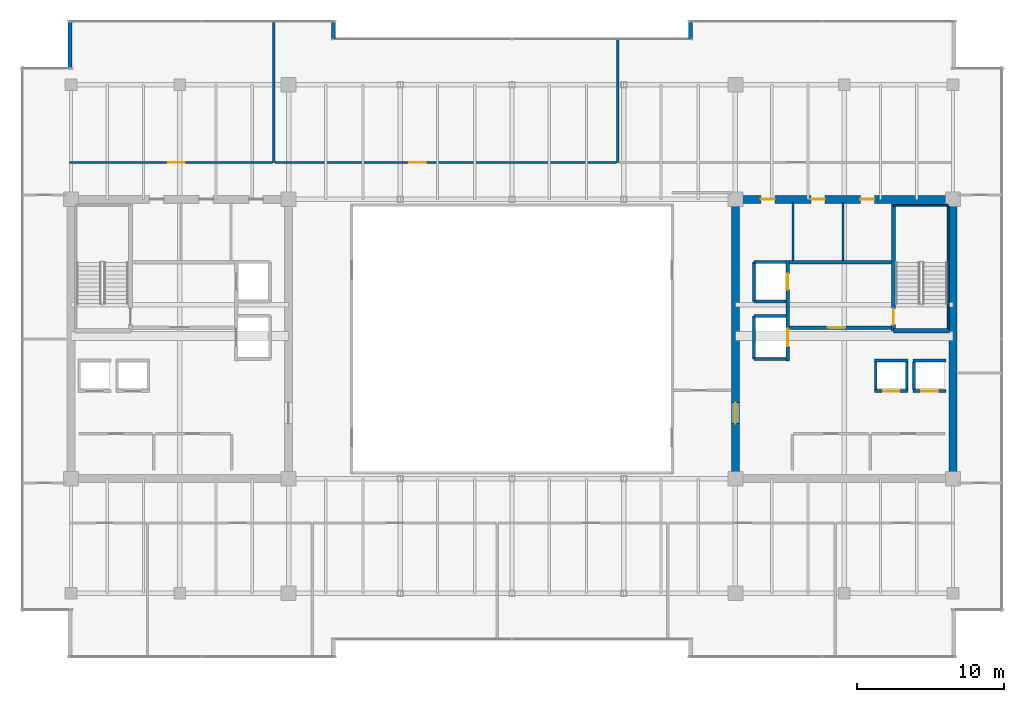
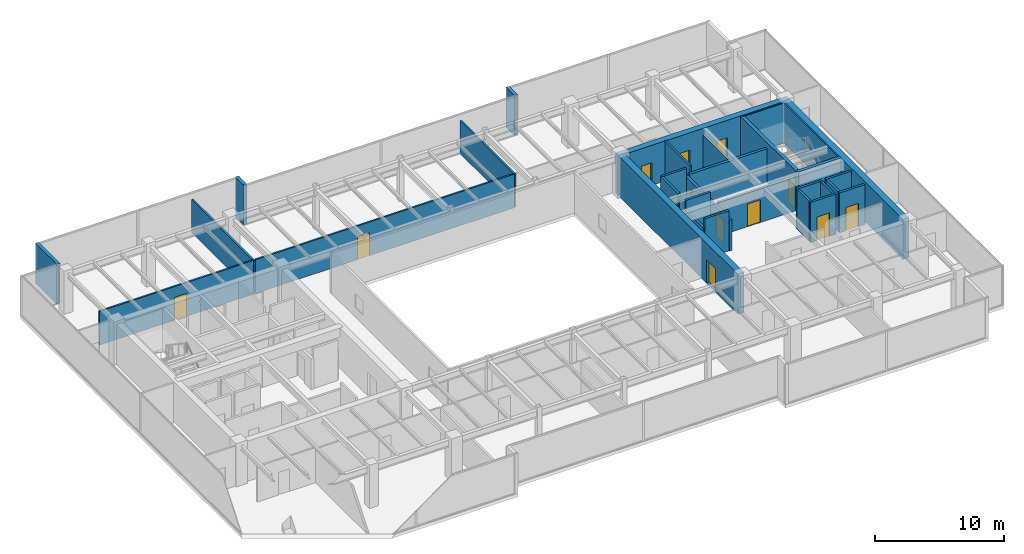
# One storey, part 30 of 33: 32 walls, 12 doors, 12 openings.
"""IFC4 building model written with IfcOpenShell, lengths in metres."""

from ifc_helpers import new_model, si_unit, direction, frame, frame_2d, origin, place, context, subcontext, project, spatial, rectangle, extrude, source, transform, mapped, material, layer, layer_set, type_object, type_shapes, element, fill, save


model = new_model("IFC4")

# Units and contexts
model_context = context("Model", 3, precision=1e-05, world=origin(), true_north=direction((0.0, 1.0)))
body_context = subcontext(model_context, "Body", "Model", "MODEL_VIEW")
ifc_project = project(units=[si_unit("LENGTHUNIT", "METRE"), si_unit("AREAUNIT", "SQUARE_METRE"), si_unit("VOLUMEUNIT", "CUBIC_METRE"), si_unit("PLANEANGLEUNIT", "RADIAN"), si_unit("MASSUNIT", "GRAM", prefix="KILO")], contexts=[model_context])

# Site, building, storey
site_placement = place(None, origin())
site = spatial("IfcSite", under=ifc_project, at=site_placement, CompositionType="ELEMENT")
building_placement = place(site_placement, origin())
building = spatial("IfcBuilding", under=site, at=building_placement, Name="Haelvirn Gate Laboratories", CompositionType="ELEMENT")
storey_placement = place(building_placement, frame((0.0, 0.0, 238.300048828125)))
storey = spatial("IfcBuildingStorey", under=building, at=storey_placement, Name="L57", CompositionType="ELEMENT", Elevation=238.300048828125)

# Walls
ifc_material_1 = material(Name="Thermally-broken bronze aluminium rainscreen & mineral wool", Category="aluminium")
ifc_layer_1 = layer(ifc_material_1, 0.280029296875, Name="EW-TERR-280")
ifc_layer_set_1 = layer_set([ifc_layer_1], Name="Thermally-broken bronze aluminium rainscreen & mineral wool")
wall_type_1 = type_object("IfcWallType", Name="EW-TERR-280", PredefinedType="STANDARD", material=ifc_layer_set_1)
for number, where, z_axis, x_axis, name in (
    (1, (49.5400390625, 46.0, 0.0), (0.0, 0.0, 1.0), (0.0, -1.0, 0.0), "L57 Atrium Recess Bronze Return Wall 11"),
    (2, (25.260009765625, 44.70703125, 0.0), (0.0, 0.0, 1.0), (0.0, 1.0, 0.0), "L57 Atrium Recess Bronze Return Wall 13"),
):
    element("IfcWall", number, at=place(storey_placement, frame(where, z_axis=z_axis, x_axis=x_axis)), inside=storey, type_object=wall_type_1, Name=name, PredefinedType="STANDARD", context=body_context, shape_type="SweptSolid", body=[
        extrude(rectangle(XDim=1.29296875, YDim=0.280029296875, at=frame_2d((0.646484375, 0.0))), origin(), (0.0, 0.0, 1.0), 3.800048828125),
    ])
wall_1_placement = place(storey_placement, frame((7.340087890625, 46.0, 0.0), z_axis=(0.0, 0.0, 1.0), x_axis=(0.0, -1.0, 0.0)))
element("IfcWall", 3, at=wall_1_placement, inside=storey, type_object=wall_type_1, Name="L57 Atrium Recess Bronze Return Wall 15", PredefinedType="STANDARD", context=body_context, shape_type="SweptSolid", body=[
    extrude(rectangle(XDim=3.2880859375, YDim=0.280029296875, at=frame_2d((1.64404296875, 0.0))), origin(), (0.0, 0.0, 1.0), 3.800048828125),
])
ifc_material_2 = material(Name="Double-layer acoustic gypsum laboratory partition", Category="gypsum")
ifc_layer_2 = layer(ifc_material_2, 0.159912109375, Name="IW-ACOUST-160")
ifc_layer_set_2 = layer_set([ifc_layer_2], Name="Double-layer acoustic gypsum laboratory partition")
wall_type_2 = type_object("IfcWallType", Name="IW-ACOUST-160", PredefinedType="PARTITIONING", material=ifc_layer_set_2)
wall_2_placement = place(storey_placement, frame((21.199951171875, 36.31005859375, 0.0), z_axis=(0.0, 0.0, 1.0), x_axis=(0.0, 1.0, 0.0)))
element("IfcWall", 4, at=wall_2_placement, inside=storey, type_object=wall_type_2, Name="L57 Interior Wall IW-L57-NDIV-01", PredefinedType="PARTITIONING", context=body_context, shape_type="SweptSolid", body=[
    extrude(rectangle(XDim=9.579833984375, YDim=0.159912109375, at=frame_2d((4.7900390625, 0.0))), origin(), (0.0, 0.0, 1.0), 3.135009765625),
])
wall_3_placement = place(storey_placement, frame((44.60009765625, 36.31005859375, 0.0), z_axis=(0.0, 0.0, 1.0), x_axis=(0.0, 1.0, 0.0)))
element("IfcWall", 5, at=wall_3_placement, inside=storey, type_object=wall_type_2, Name="L57 Interior Wall IW-L57-NDIV-02", PredefinedType="PARTITIONING", context=body_context, shape_type="SweptSolid", body=[
    extrude(rectangle(XDim=8.3798828125, YDim=0.159912109375, at=frame_2d((4.18994140625, 0.0))), origin(), (0.0, 0.0, 1.0), 3.135009765625),
])

# Wall, opening, door
ifc_material_3 = material(Name="Acoustic mineral-wool gypsum board partition", Category="gypsum")
ifc_layer_3 = layer(ifc_material_3, 0.139892578125, Name="IW-PART-140")
ifc_layer_set_3 = layer_set([ifc_layer_3], Name="Acoustic mineral-wool gypsum board partition")
wall_type_3 = type_object("IfcWallType", Name="IW-PART-140", PredefinedType="PARTITIONING", material=ifc_layer_set_3)
wall_4_placement = place(storey_placement, frame((7.31005859375, 36.31005859375, 0.0), z_axis=(0.0, 0.0, 1.0), x_axis=(1.0, 0.0, 0.0)))
wall_4 = element("IfcWall", 6, at=wall_4_placement, inside=storey, type_object=wall_type_3, Name="L57 Interior Wall IW-L57-NCORR-01", PredefinedType="PARTITIONING", context=body_context, shape_type="SweptSolid", body=[
    extrude(rectangle(XDim=13.81005859375, YDim=0.139892578125, at=frame_2d((6.905029296875, 0.0))), origin(), (0.0, 0.0, 1.0), 3.197021484375),
])
opening_1_placement = place(wall_4_placement, frame((6.71533203125, 0.0, 0.0)))
opening_1 = element("IfcOpeningElement", 7, at=opening_1_placement, cuts=wall_4, Name="Opening D1", PredefinedType="OPENING", context=body_context, shape_type="SweptSolid", body=[
    extrude(rectangle(XDim=1.10009765625, YDim=2.179931640625, at=frame_2d((0.550048828125, 1.08984375))), frame((0.0, 0.080078125, 0.0), z_axis=(0.0, -1.0, 0.0), x_axis=(1.0, 0.0, 0.0)), (0.0, 0.0, 1.0), 0.159912109375),
])
ifc_material_4 = material(Name="Vision-panel acoustic solid-core timber lab door", Category="wood")
door_type_1 = type_object("IfcDoorType", Name="DR-LAB-1100", OperationType="NOTDEFINED", PredefinedType="DOOR", material=ifc_material_4)
shared_shape_1 = source(origin(), body_context, "Body", "SweptSolid", [
    extrude(rectangle(XDim=1.10009765625, YDim=2.179931640625, at=frame_2d((0.550048828125, 1.08984375))), frame((0.0, 0.02490234375, 0.0), z_axis=(0.0, -1.0, 0.0), x_axis=(1.0, 0.0, 0.0)), (0.0, 0.0, 1.0), 0.050048828125),
])
type_shapes(door_type_1, [shared_shape_1])
door_1_placement = place(opening_1_placement, origin())
door_1 = element("IfcDoor", 8, at=door_1_placement, inside=storey, type_object=door_type_1, Name="L57 Analytical Instrument Suite Door N1", OperationType="SINGLE_SWING_LEFT", OverallHeight=2.179931640625, OverallWidth=1.10009765625, PredefinedType="DOOR", context=body_context, shape_type="MappedRepresentation", body=[
    mapped(shared_shape_1, transform((0.0, 0.0, 0.0), scale=1.0)),
])
fill(opening_1, door_1)

wall_5_placement = place(storey_placement, frame((21.280029296875, 36.31005859375, 0.0), z_axis=(0.0, 0.0, 1.0), x_axis=(1.0, 0.0, 0.0)))
wall_5 = element("IfcWall", 9, at=wall_5_placement, inside=storey, type_object=wall_type_3, Name="L57 Interior Wall IW-L57-NCORR-02", PredefinedType="PARTITIONING", context=body_context, shape_type="SweptSolid", body=[
    extrude(rectangle(XDim=23.239990234375, YDim=0.139892578125, at=frame_2d((11.6201171875, 0.0))), origin(), (0.0, 0.0, 1.0), 3.197021484375),
])
opening_2_placement = place(wall_5_placement, frame((9.140380859375, 0.0, 0.0)))
opening_2 = element("IfcOpeningElement", 10, at=opening_2_placement, cuts=wall_5, Name="Opening D1", PredefinedType="OPENING", context=body_context, shape_type="SweptSolid", body=[
    extrude(rectangle(XDim=1.10009765625, YDim=2.179931640625, at=frame_2d((0.550048828125, 1.08984375))), frame((0.0, 0.080078125, 0.0), z_axis=(0.0, -1.0, 0.0), x_axis=(1.0, 0.0, 0.0)), (0.0, 0.0, 1.0), 0.159912109375),
])
door_2_placement = place(opening_2_placement, origin())
door_2 = element("IfcDoor", 11, at=door_2_placement, inside=storey, type_object=door_type_1, Name="L57 Cleanroom Metrology Suite Door N2", OperationType="SINGLE_SWING_RIGHT", OverallHeight=2.179931640625, OverallWidth=1.10009765625, PredefinedType="DOOR", context=body_context, shape_type="MappedRepresentation", body=[
    mapped(shared_shape_1, transform((0.0, 0.0, 0.0), scale=1.0)),
])
fill(opening_2, door_2)

# Walls
ifc_material_5 = material(Name="Cement-board restroom plumbing chase wall", Category="gypsum")
ifc_layer_4 = layer(ifc_material_5, 0.155029296875, Name="IW-PLUMB-160")
ifc_layer_set_4 = layer_set([ifc_layer_4], Name="Cement-board restroom plumbing chase wall")
wall_type_4 = type_object("IfcWallType", Name="IW-PLUMB-160", PredefinedType="PLUMBINGWALL", material=ifc_layer_set_4)
wall_6_placement = place(storey_placement, frame((59.909912109375, 29.64990234375, 0.0), z_axis=(0.0, 0.0, 1.0), x_axis=(0.0, 1.0, 0.0)))
element("IfcWall", 12, at=wall_6_placement, inside=storey, type_object=wall_type_4, Name="L57 Interior Wall IW-L57-E-CDIV-1", PredefinedType="PLUMBINGWALL", context=body_context, shape_type="SweptSolid", body=[
    extrude(rectangle(XDim=3.93017578125, YDim=0.155029296875, at=frame_2d((1.965087890625, 0.0))), origin(), (0.0, 0.0, 1.0), 3.197021484375),
])
wall_7_placement = place(storey_placement, frame((56.510009765625, 29.64990234375, 0.0), z_axis=(0.0, 0.0, 1.0), x_axis=(0.0, 1.0, 0.0)))
element("IfcWall", 13, at=wall_7_placement, inside=storey, type_object=wall_type_4, Name="L57 Interior Wall IW-L57-E-CDIV-2", PredefinedType="PLUMBINGWALL", context=body_context, shape_type="SweptSolid", body=[
    extrude(rectangle(XDim=3.93017578125, YDim=0.155029296875, at=frame_2d((1.965087890625, 0.0))), origin(), (0.0, 0.0, 1.0), 3.800048828125),
])
ifc_material_6 = material(Name="Concrete C40/50", Category="concrete")
ifc_layer_5 = layer(ifc_material_6, 0.179931640625, Name="IW-SHAFT-180")
ifc_layer_set_5 = layer_set([ifc_layer_5], Name="Concrete C40/50")
wall_type_5 = type_object("IfcWallType", Name="IW-SHAFT-180", PredefinedType="SOLIDWALL", material=ifc_layer_set_5)
for number, where, z_axis, x_axis, name in (
    (14, (64.75, 20.85009765625, 0.0), (0.0, 0.0, 1.0), (0.0, 1.0, 0.0), "L57 Interior Wall IW-L57-PL11-SD"),
    (15, (62.14990234375, 20.85009765625, 0.0), (0.0, 0.0, 1.0), (0.0, 1.0, 0.0), "L57 Interior Wall IW-L57-PL12-SD"),
    (16, (64.25, 20.85009765625, 0.0), (0.0, 0.0, 1.0), (0.0, 1.0, 0.0), "L57 Interior Wall IW-L57-PL12-SDE"),
):
    element("IfcWall", number, at=place(storey_placement, frame(where, z_axis=z_axis, x_axis=x_axis)), inside=storey, type_object=wall_type_5, Name=name, PredefinedType="SOLIDWALL", context=body_context, shape_type="SweptSolid", body=[
        extrude(rectangle(XDim=1.89990234375, YDim=0.179931640625, at=frame_2d((0.949951171875, 0.0))), origin(), (0.0, 0.0, 1.0), 3.800048828125),
    ])

# Wall, opening, door
ifc_layer_6 = layer(ifc_material_6, 0.199951171875, Name="IW-SHAFT-200")
ifc_layer_set_6 = layer_set([ifc_layer_6], Name="Concrete C40/50")
wall_type_6 = type_object("IfcWallType", Name="IW-SHAFT-200", PredefinedType="SOLIDWALL", material=ifc_layer_set_6)
wall_8_placement = place(storey_placement, frame((64.669921875, 20.75, 0.0), z_axis=(0.0, 0.0, 1.0), x_axis=(1.0, 0.0, 0.0)))
wall_8 = element("IfcWall", 17, at=wall_8_placement, inside=storey, type_object=wall_type_6, Name="L57 Interior Wall IW-L57-PL11-FR", PredefinedType="SOLIDWALL", context=body_context, shape_type="SweptSolid", body=[
    extrude(rectangle(XDim=2.260009765625, YDim=0.199951171875, at=frame_2d((1.1298828125, 0.0))), origin(), (0.0, 0.0, 1.0), 3.800048828125),
])
opening_3_placement = place(wall_8_placement, frame((0.580078125, 0.0, 0.0)))
opening_3 = element("IfcOpeningElement", 18, at=opening_3_placement, cuts=wall_8, Name="Opening LD2", PredefinedType="OPENING", context=body_context, shape_type="SweptSolid", body=[
    extrude(rectangle(XDim=1.10009765625, YDim=2.219970703125, at=frame_2d((0.550048828125, 1.10986328125))), frame((0.0, 0.10986328125, 0.0), z_axis=(0.0, -1.0, 0.0), x_axis=(1.0, 0.0, 0.0)), (0.0, 0.0, 1.0), 0.219970703125),
])
ifc_material_7 = material(Name="Bronze stainless 316L sliding lift landing door")
door_type_2 = type_object("IfcDoorType", Name="DR-LD-1100", OperationType="NOTDEFINED", PredefinedType="USERDEFINED", material=ifc_material_7)
shared_shape_2 = source(origin(), body_context, "Body", "SweptSolid", [
    extrude(rectangle(XDim=1.10009765625, YDim=2.219970703125, at=frame_2d((0.550048828125, 1.10986328125))), frame((0.0, 0.02490234375, 0.0), z_axis=(0.0, -1.0, 0.0), x_axis=(1.0, 0.0, 0.0)), (0.0, 0.0, 1.0), 0.050048828125),
])
type_shapes(door_type_2, [shared_shape_2])
door_3_placement = place(opening_3_placement, origin())
door_3 = element("IfcDoor", 19, at=door_3_placement, inside=storey, type_object=door_type_2, Name="L57 Passenger Lift PL11 Landing Door", ObjectType="LANDING_DOOR", OperationType="SLIDING_TO_LEFT", OverallHeight=2.219970703125, OverallWidth=1.10009765625, PredefinedType="USERDEFINED", context=body_context, shape_type="MappedRepresentation", body=[
    mapped(shared_shape_2, transform((0.0, 0.0, 0.0), scale=1.0)),
])
fill(opening_3, door_3)

# Wall
wall_9_placement = place(storey_placement, frame((64.669921875, 22.85009765625, 0.0), z_axis=(0.0, 0.0, 1.0), x_axis=(1.0, 0.0, 0.0)))
element("IfcWall", 20, at=wall_9_placement, inside=storey, type_object=wall_type_6, Name="L57 Interior Wall IW-L57-PL11-BK", PredefinedType="SOLIDWALL", context=body_context, shape_type="SweptSolid", body=[
    extrude(rectangle(XDim=2.260009765625, YDim=0.199951171875, at=frame_2d((1.1298828125, 0.0))), origin(), (0.0, 0.0, 1.0), 3.800048828125),
])

# Wall, opening, door
wall_10_placement = place(storey_placement, frame((62.070068359375, 20.75, 0.0), z_axis=(0.0, 0.0, 1.0), x_axis=(1.0, 0.0, 0.0)))
wall_10 = element("IfcWall", 21, at=wall_10_placement, inside=storey, type_object=wall_type_6, Name="L57 Interior Wall IW-L57-PL12-FR", PredefinedType="SOLIDWALL", context=body_context, shape_type="SweptSolid", body=[
    extrude(rectangle(XDim=2.260009765625, YDim=0.199951171875, at=frame_2d((1.1298828125, 0.0))), origin(), (0.0, 0.0, 1.0), 3.800048828125),
])
opening_4_placement = place(wall_10_placement, frame((0.580078125, 0.0, 0.0)))
opening_4 = element("IfcOpeningElement", 22, at=opening_4_placement, cuts=wall_10, Name="Opening LD2", PredefinedType="OPENING", context=body_context, shape_type="SweptSolid", body=[
    extrude(rectangle(XDim=1.10009765625, YDim=2.219970703125, at=frame_2d((0.550048828125, 1.10986328125))), frame((0.0, 0.10986328125, 0.0), z_axis=(0.0, -1.0, 0.0), x_axis=(1.0, 0.0, 0.0)), (0.0, 0.0, 1.0), 0.219970703125),
])
door_4_placement = place(opening_4_placement, origin())
door_4 = element("IfcDoor", 23, at=door_4_placement, inside=storey, type_object=door_type_2, Name="L57 Passenger Lift PL12 Landing Door", ObjectType="LANDING_DOOR", OperationType="SLIDING_TO_RIGHT", OverallHeight=2.219970703125, OverallWidth=1.10009765625, PredefinedType="USERDEFINED", context=body_context, shape_type="MappedRepresentation", body=[
    mapped(shared_shape_2, transform((0.0, 0.0, 0.0), scale=1.0)),
])
fill(opening_4, door_4)

# Walls
wall_11_placement = place(storey_placement, frame((62.070068359375, 22.85009765625, 0.0), z_axis=(0.0, 0.0, 1.0), x_axis=(1.0, 0.0, 0.0)))
element("IfcWall", 24, at=wall_11_placement, inside=storey, type_object=wall_type_6, Name="L57 Interior Wall IW-L57-PL12-BK", PredefinedType="SOLIDWALL", context=body_context, shape_type="SweptSolid", body=[
    extrude(rectangle(XDim=2.260009765625, YDim=0.199951171875, at=frame_2d((1.1298828125, 0.0))), origin(), (0.0, 0.0, 1.0), 3.800048828125),
])
wall_12_placement = place(storey_placement, frame((53.85009765625, 26.85009765625, 0.0), z_axis=(0.0, 0.0, 1.0), x_axis=(0.0, 1.0, 0.0)))
element("IfcWall", 25, at=wall_12_placement, inside=storey, type_object=wall_type_6, Name="L57 Interior Wall IW-L57-FL2-BK", PredefinedType="SOLIDWALL", context=body_context, shape_type="SweptSolid", body=[
    extrude(rectangle(XDim=2.699951171875, YDim=0.199951171875, at=frame_2d((1.35009765625, 0.0))), origin(), (0.0, 0.0, 1.0), 3.800048828125),
])
wall_13_placement = place(storey_placement, frame((53.85009765625, 29.550048828125, 0.0), z_axis=(0.0, 0.0, 1.0), x_axis=(1.0, 0.0, 0.0)))
element("IfcWall", 26, at=wall_13_placement, inside=storey, type_object=wall_type_6, Name="L57 Interior Wall IW-L57-FL2-N", PredefinedType="SOLIDWALL", context=body_context, shape_type="SweptSolid", body=[
    extrude(rectangle(XDim=2.18994140625, YDim=0.199951171875, at=frame_2d((1.094970703125, 0.0))), origin(), (0.0, 0.0, 1.0), 3.800048828125),
])
wall_14_placement = place(storey_placement, frame((53.85009765625, 26.85009765625, 0.0), z_axis=(0.0, 0.0, 1.0), x_axis=(1.0, 0.0, 0.0)))
element("IfcWall", 27, at=wall_14_placement, inside=storey, type_object=wall_type_6, Name="L57 Interior Wall IW-L57-FL2-S", PredefinedType="SOLIDWALL", context=body_context, shape_type="SweptSolid", body=[
    extrude(rectangle(XDim=2.18994140625, YDim=0.199951171875, at=frame_2d((1.094970703125, 0.0))), origin(), (0.0, 0.0, 1.0), 3.197021484375),
])
wall_15_placement = place(storey_placement, frame((53.85009765625, 22.949951171875, 0.0), z_axis=(0.0, 0.0, 1.0), x_axis=(0.0, 1.0, 0.0)))
element("IfcWall", 28, at=wall_15_placement, inside=storey, type_object=wall_type_6, Name="L57 Interior Wall IW-L57-SL2-BK", PredefinedType="SOLIDWALL", context=body_context, shape_type="SweptSolid", body=[
    extrude(rectangle(XDim=2.900146484375, YDim=0.199951171875, at=frame_2d((1.4501953125, 0.0))), origin(), (0.0, 0.0, 1.0), 2.93505859375),
])
for number, where, z_axis, x_axis, name in (
    (29, (53.85009765625, 25.85009765625, 0.0), (0.0, 0.0, 1.0), (1.0, 0.0, 0.0), "L57 Interior Wall IW-L57-SL2-N"),
    (30, (53.85009765625, 22.949951171875, 0.0), (0.0, 0.0, 1.0), (1.0, 0.0, 0.0), "L57 Interior Wall IW-L57-SL2-S"),
):
    element("IfcWall", number, at=place(storey_placement, frame(where, z_axis=z_axis, x_axis=x_axis)), inside=storey, type_object=wall_type_6, Name=name, PredefinedType="SOLIDWALL", context=body_context, shape_type="SweptSolid", body=[
        extrude(rectangle(XDim=2.18994140625, YDim=0.199951171875, at=frame_2d((1.094970703125, 0.0))), origin(), (0.0, 0.0, 1.0), 3.800048828125),
    ])

# Wall, opening, door
ifc_layer_7 = layer(ifc_material_6, 0.239990234375, Name="IW-SHAFT-240")
ifc_layer_set_7 = layer_set([ifc_layer_7], Name="Concrete C40/50")
wall_type_7 = type_object("IfcWallType", Name="IW-SHAFT-240", PredefinedType="SOLIDWALL", material=ifc_layer_set_7)
wall_16_placement = place(storey_placement, frame((56.280029296875, 25.080078125, 0.0), z_axis=(0.0, 0.0, 1.0), x_axis=(1.0, 0.0, 0.0)))
wall_16 = element("IfcWall", 31, at=wall_16_placement, inside=storey, type_object=wall_type_7, Name="L57 Interior Wall IW-L57-E-FF-S", PredefinedType="SOLIDWALL", context=body_context, shape_type="SweptSolid", body=[
    extrude(rectangle(XDim=6.919921875, YDim=0.239990234375, at=frame_2d((3.4599609375, 0.0))), origin(), (0.0, 0.0, 1.0), 3.197021484375),
])
opening_5_placement = place(wall_16_placement, frame((2.60009765625, 0.0, 0.0)))
opening_5 = element("IfcOpeningElement", 32, at=opening_5_placement, cuts=wall_16, Name="Opening FD2", PredefinedType="OPENING", context=body_context, shape_type="SweptSolid", body=[
    extrude(rectangle(XDim=1.199951171875, YDim=2.159912109375, at=frame_2d((0.60009765625, 1.080078125))), frame((0.0, 0.1298828125, 0.0), z_axis=(0.0, -1.0, 0.0), x_axis=(1.0, 0.0, 0.0)), (0.0, 0.0, 1.0), 0.260009765625),
])
ifc_material_8 = material(Name="Fire-rated steel SM355 compartment door", Category="steel")
door_type_3 = type_object("IfcDoorType", Name="DR-FD-1200", OperationType="NOTDEFINED", PredefinedType="DOOR", material=ifc_material_8)
shared_shape_3 = source(origin(), body_context, "Body", "SweptSolid", [
    extrude(rectangle(XDim=1.199951171875, YDim=2.159912109375, at=frame_2d((0.60009765625, 1.080078125))), frame((0.0, 0.02490234375, 0.0), z_axis=(0.0, -1.0, 0.0), x_axis=(1.0, 0.0, 0.0)), (0.0, 0.0, 1.0), 0.050048828125),
])
type_shapes(door_type_3, [shared_shape_3])
door_5_placement = place(opening_5_placement, origin())
door_5 = element("IfcDoor", 33, at=door_5_placement, inside=storey, type_object=door_type_3, Name="L57 East Firefighting Lobby Door", OperationType="SINGLE_SWING_LEFT", OverallHeight=2.159912109375, OverallWidth=1.199951171875, PredefinedType="DOOR", context=body_context, shape_type="MappedRepresentation", body=[
    mapped(shared_shape_3, transform((0.0, 0.0, 0.0), scale=1.0)),
])
fill(opening_5, door_5)

# Wall
wall_17_placement = place(storey_placement, frame((56.280029296875, 29.52001953125, 0.0), z_axis=(0.0, 0.0, 1.0), x_axis=(1.0, 0.0, 0.0)))
element("IfcWall", 34, at=wall_17_placement, inside=storey, type_object=wall_type_7, Name="L57 Interior Wall IW-L57-E-FF-N", PredefinedType="SOLIDWALL", context=body_context, shape_type="SweptSolid", body=[
    extrude(rectangle(XDim=6.919921875, YDim=0.239990234375, at=frame_2d((3.4599609375, 0.0))), origin(), (0.0, 0.0, 1.0), 3.197021484375),
])

# Wall, openings, doors
wall_18_placement = place(storey_placement, frame((56.159912109375, 22.800048828125, 0.0), z_axis=(0.0, 0.0, 1.0), x_axis=(0.0, 1.0, 0.0)))
wall_18 = element("IfcWall", 35, at=wall_18_placement, inside=storey, type_object=wall_type_7, Name="L57 Interior Wall IW-L57-E-FF-E", PredefinedType="SOLIDWALL", context=body_context, shape_type="SweptSolid", body=[
    extrude(rectangle(XDim=6.849853515625, YDim=0.239990234375, at=frame_2d((3.4248046875, 0.0))), origin(), (0.0, 0.0, 1.0), 2.93505859375),
])
opening_6_placement = place(wall_18_placement, frame((4.85009765625, 0.0, 0.0)))
opening_6 = element("IfcOpeningElement", 36, at=opening_6_placement, cuts=wall_18, Name="Opening LD2", PredefinedType="OPENING", context=body_context, shape_type="SweptSolid", body=[
    extrude(rectangle(XDim=1.10009765625, YDim=2.219970703125, at=frame_2d((0.550048828125, 1.10986328125))), frame((0.0, 0.1298828125, 0.0), z_axis=(0.0, -1.0, 0.0), x_axis=(1.0, 0.0, 0.0)), (0.0, 0.0, 1.0), 0.260009765625),
])
opening_7_placement = place(wall_18_placement, frame((1.0, 0.0, 0.0)))
opening_7 = element("IfcOpeningElement", 37, at=opening_7_placement, cuts=wall_18, Name="Opening LD1", PredefinedType="OPENING", context=body_context, shape_type="SweptSolid", body=[
    extrude(rectangle(XDim=1.199951171875, YDim=2.219970703125, at=frame_2d((0.60009765625, 1.10986328125))), frame((0.0, 0.1298828125, 0.0), z_axis=(0.0, -1.0, 0.0), x_axis=(1.0, 0.0, 0.0)), (0.0, 0.0, 1.0), 0.260009765625),
])
door_6_placement = place(opening_6_placement, origin())
door_6 = element("IfcDoor", 38, at=door_6_placement, inside=storey, type_object=door_type_2, Name="L57 Firefighting Lift FL2 Landing Door", ObjectType="LANDING_DOOR", OperationType="SLIDING_TO_RIGHT", OverallHeight=2.219970703125, OverallWidth=1.10009765625, PredefinedType="USERDEFINED", context=body_context, shape_type="MappedRepresentation", body=[
    mapped(shared_shape_2, transform((0.0, 0.0, 0.0), scale=1.0)),
])
fill(opening_6, door_6)
ifc_material_9 = material(Name="Stainless steel 316L sliding goods landing door", Category="steel")
door_type_4 = type_object("IfcDoorType", Name="DR-LD-1200", OperationType="NOTDEFINED", PredefinedType="USERDEFINED", material=ifc_material_9)
shared_shape_4 = source(origin(), body_context, "Body", "SweptSolid", [
    extrude(rectangle(XDim=1.199951171875, YDim=2.219970703125, at=frame_2d((0.60009765625, 1.10986328125))), frame((0.0, 0.02490234375, 0.0), z_axis=(0.0, -1.0, 0.0), x_axis=(1.0, 0.0, 0.0)), (0.0, 0.0, 1.0), 0.050048828125),
])
type_shapes(door_type_4, [shared_shape_4])
door_7_placement = place(opening_7_placement, origin())
door_7 = element("IfcDoor", 39, at=door_7_placement, inside=storey, type_object=door_type_4, Name="L57 Service Lift SL2 Landing Door", ObjectType="LANDING_DOOR", OperationType="SLIDING_TO_LEFT", OverallHeight=2.219970703125, OverallWidth=1.199951171875, PredefinedType="USERDEFINED", context=body_context, shape_type="MappedRepresentation", body=[
    mapped(shared_shape_4, transform((0.0, 0.0, 0.0), scale=1.0)),
])
fill(opening_7, door_7)

ifc_material_10 = material(Name="Concrete C50/60", Category="concrete")
ifc_layer_8 = layer(ifc_material_10, 0.550048828125, Name="SW-CORE-550")
ifc_layer_set_8 = layer_set([ifc_layer_8], Name="Concrete C50/60")
wall_type_8 = type_object("IfcWallType", Name="SW-CORE-550", PredefinedType="SHEAR", material=ifc_layer_set_8)
wall_19_placement = place(storey_placement, frame((52.324951171875, 33.800048828125, 0.0), z_axis=(0.0, 0.0, 1.0), x_axis=(1.0, 0.0, 0.0)))
wall_19 = element("IfcWall", 40, at=wall_19_placement, inside=storey, type_object=wall_type_8, Name="L57 E Core Shear Wall N", PredefinedType="SHEAR", context=body_context, shape_type="SweptSolid", body=[
    extrude(rectangle(XDim=15.35009765625, YDim=0.550048828125, at=frame_2d((7.675048828125, 0.0))), origin(), (0.0, 0.0, 1.0), 3.800048828125),
])
opening_8_placement = place(wall_19_placement, frame((8.77490234375, 0.0, 0.0)))
opening_8 = element("IfcOpeningElement", 41, at=opening_8_placement, cuts=wall_19, Name="Opening FD4", PredefinedType="OPENING", context=body_context, shape_type="SweptSolid", body=[
    extrude(rectangle(XDim=0.949951171875, YDim=2.14990234375, at=frame_2d((0.47509765625, 1.074951171875))), frame((0.0, 0.28515625, 0.0), z_axis=(0.0, -1.0, 0.0), x_axis=(1.0, 0.0, 0.0)), (0.0, 0.0, 1.0), 0.570068359375),
])
opening_9_placement = place(wall_19_placement, frame((5.409912109375, 0.0, 0.0)))
opening_9 = element("IfcOpeningElement", 42, at=opening_9_placement, cuts=wall_19, Name="Opening FD4", PredefinedType="OPENING", context=body_context, shape_type="SweptSolid", body=[
    extrude(rectangle(XDim=0.949951171875, YDim=2.14990234375, at=frame_2d((0.47509765625, 1.074951171875))), frame((0.0, 0.28515625, 0.0), z_axis=(0.0, -1.0, 0.0), x_axis=(1.0, 0.0, 0.0)), (0.0, 0.0, 1.0), 0.570068359375),
])
opening_10_placement = place(wall_19_placement, frame((2.010009765625, 0.0, 0.0)))
opening_10 = element("IfcOpeningElement", 43, at=opening_10_placement, cuts=wall_19, Name="Opening FD4", PredefinedType="OPENING", context=body_context, shape_type="SweptSolid", body=[
    extrude(rectangle(XDim=0.949951171875, YDim=2.14990234375, at=frame_2d((0.47509765625, 1.074951171875))), frame((0.0, 0.28515625, 0.0), z_axis=(0.0, -1.0, 0.0), x_axis=(1.0, 0.0, 0.0)), (0.0, 0.0, 1.0), 0.570068359375),
])
ifc_material_11 = material(Name="Fire-rated steel SM355 core service door", Category="steel")
door_type_5 = type_object("IfcDoorType", Name="DR-FD-950", OperationType="NOTDEFINED", PredefinedType="DOOR", material=ifc_material_11)
shared_shape_5 = source(origin(), body_context, "Body", "SweptSolid", [
    extrude(rectangle(XDim=0.949951171875, YDim=2.14990234375, at=frame_2d((0.47509765625, 1.074951171875))), frame((0.0, 0.02490234375, 0.0), z_axis=(0.0, -1.0, 0.0), x_axis=(1.0, 0.0, 0.0)), (0.0, 0.0, 1.0), 0.050048828125),
])
type_shapes(door_type_5, [shared_shape_5])
door_8_placement = place(opening_8_placement, origin())
door_8 = element("IfcDoor", 44, at=door_8_placement, inside=storey, type_object=door_type_5, Name="L57 Male Restroom Fire Door", OperationType="SINGLE_SWING_RIGHT", OverallHeight=2.14990234375, OverallWidth=0.949951171875, PredefinedType="DOOR", context=body_context, shape_type="MappedRepresentation", body=[
    mapped(shared_shape_5, transform((0.0, 0.0, 0.0), scale=1.0)),
])
fill(opening_8, door_8)
door_9_placement = place(opening_9_placement, origin())
door_9 = element("IfcDoor", 45, at=door_9_placement, inside=storey, type_object=door_type_5, Name="L57 Female Restroom Fire Door", OperationType="SINGLE_SWING_LEFT", OverallHeight=2.14990234375, OverallWidth=0.949951171875, PredefinedType="DOOR", context=body_context, shape_type="MappedRepresentation", body=[
    mapped(shared_shape_5, transform((0.0, 0.0, 0.0), scale=1.0)),
])
fill(opening_9, door_9)
door_10_placement = place(opening_10_placement, origin())
door_10 = element("IfcDoor", 46, at=door_10_placement, inside=storey, type_object=door_type_5, Name="L57 Accessible Restroom Fire Door", OperationType="SINGLE_SWING_RIGHT", OverallHeight=2.14990234375, OverallWidth=0.949951171875, PredefinedType="DOOR", context=body_context, shape_type="MappedRepresentation", body=[
    mapped(shared_shape_5, transform((0.0, 0.0, 0.0), scale=1.0)),
])
fill(opening_10, door_10)

# Wall, opening, door
wall_20_placement = place(storey_placement, frame((52.60009765625, 15.074951171875, 0.0), z_axis=(0.0, 0.0, 1.0), x_axis=(0.0, 1.0, 0.0)))
wall_20 = element("IfcWall", 47, at=wall_20_placement, inside=storey, type_object=wall_type_8, Name="L57 E Core Shear Wall W", PredefinedType="SHEAR", context=body_context, shape_type="SweptSolid", body=[
    extrude(rectangle(XDim=18.449951171875, YDim=0.550048828125, at=frame_2d((9.22509765625, 0.0))), origin(), (0.0, 0.0, 1.0), 3.800048828125),
])
opening_11_placement = place(wall_20_placement, frame((3.47509765625, 0.0, 0.0)))
opening_11 = element("IfcOpeningElement", 48, at=opening_11_placement, cuts=wall_20, Name="Opening FD1", PredefinedType="OPENING", context=body_context, shape_type="SweptSolid", body=[
    extrude(rectangle(XDim=1.419921875, YDim=2.199951171875, at=frame_2d((0.7099609375, 1.10009765625))), frame((0.0, 0.28515625, 0.0), z_axis=(0.0, -1.0, 0.0), x_axis=(1.0, 0.0, 0.0)), (0.0, 0.0, 1.0), 0.570068359375),
])
ifc_material_12 = material(Name="Fire-rated double steel SM355 lobby door", Category="steel")
door_type_6 = type_object("IfcDoorType", Name="DR-FD-1400", OperationType="NOTDEFINED", PredefinedType="DOOR", material=ifc_material_12)
shared_shape_6 = source(origin(), body_context, "Body", "SweptSolid", [
    extrude(rectangle(XDim=1.419921875, YDim=2.199951171875, at=frame_2d((0.7099609375, 1.10009765625))), frame((0.0, 0.02490234375, 0.0), z_axis=(0.0, -1.0, 0.0), x_axis=(1.0, 0.0, 0.0)), (0.0, 0.0, 1.0), 0.050048828125),
])
type_shapes(door_type_6, [shared_shape_6])
door_11_placement = place(opening_11_placement, origin())
door_11 = element("IfcDoor", 49, at=door_11_placement, inside=storey, type_object=door_type_6, Name="L57 East Core Lift Lobby Fire Door", OperationType="DOUBLE_DOOR_SINGLE_SWING", OverallHeight=2.199951171875, OverallWidth=1.419921875, PredefinedType="DOOR", context=body_context, shape_type="MappedRepresentation", body=[
    mapped(shared_shape_6, transform((0.0, 0.0, 0.0), scale=1.0)),
])
fill(opening_11, door_11)

# Walls
wall_21_placement = place(storey_placement, frame((67.39990234375, 15.074951171875, 0.0), z_axis=(0.0, 0.0, 1.0), x_axis=(0.0, 1.0, 0.0)))
element("IfcWall", 50, at=wall_21_placement, inside=storey, type_object=wall_type_8, Name="L57 E Core Shear Wall E", PredefinedType="SHEAR", context=body_context, shape_type="SweptSolid", body=[
    extrude(rectangle(XDim=18.449951171875, YDim=0.550048828125, at=frame_2d((9.22509765625, 0.0))), origin(), (0.0, 0.0, 1.0), 3.800048828125),
])
ifc_layer_9 = layer(ifc_material_10, 0.1201171875, Name="SW-LINER-120")
ifc_layer_set_9 = layer_set([ifc_layer_9], Name="Concrete C50/60")
wall_type_9 = type_object("IfcWallType", Name="SW-LINER-120", PredefinedType="SOLIDWALL", material=ifc_layer_set_9)
wall_22_placement = place(storey_placement, frame((63.35009765625, 33.39990234375, 0.0), z_axis=(0.0, 0.0, 1.0), x_axis=(1.0, 0.0, 0.0)))
element("IfcWall", 51, at=wall_22_placement, inside=storey, type_object=wall_type_9, Name="L57 E Core Stair Shaft Liner Wall N", PredefinedType="SOLIDWALL", context=body_context, shape_type="SweptSolid", body=[
    extrude(rectangle(XDim=3.719970703125, YDim=0.1201171875, at=frame_2d((1.85986328125, 0.0))), origin(), (0.0, 0.0, 1.0), 3.800048828125),
])
wall_23_placement = place(storey_placement, frame((67.070068359375, 25.0, 0.0), z_axis=(0.0, 0.0, 1.0), x_axis=(0.0, 1.0, 0.0)))
element("IfcWall", 52, at=wall_23_placement, inside=storey, type_object=wall_type_9, Name="L57 E Core Stair Shaft Liner Wall OUT", PredefinedType="SOLIDWALL", context=body_context, shape_type="SweptSolid", body=[
    extrude(rectangle(XDim=8.320068359375, YDim=0.1201171875, at=frame_2d((4.16015625, 0.0))), origin(), (0.0, 0.0, 1.0), 3.800048828125),
])

# Wall, opening, door
ifc_layer_10 = layer(ifc_material_10, 0.300048828125, Name="SW-STAIR-300")
ifc_layer_set_10 = layer_set([ifc_layer_10], Name="Concrete C50/60")
wall_type_10 = type_object("IfcWallType", Name="SW-STAIR-300", PredefinedType="SHEAR", material=ifc_layer_set_10)
wall_24_placement = place(storey_placement, frame((63.35009765625, 24.85009765625, 0.0), z_axis=(0.0, 0.0, 1.0), x_axis=(0.0, 1.0, 0.0)))
wall_24 = element("IfcWall", 53, at=wall_24_placement, inside=storey, type_object=wall_type_10, Name="L57 E Core Stair Shaft Structural Wall IN", PredefinedType="SHEAR", context=body_context, shape_type="SweptSolid", body=[
    extrude(rectangle(XDim=8.6298828125, YDim=0.300048828125, at=frame_2d((4.31494140625, 0.0))), origin(), (0.0, 0.0, 1.0), 3.800048828125),
])
opening_12_placement = place(wall_24_placement, frame((0.419921875, 0.0, 0.0)))
opening_12 = element("IfcOpeningElement", 54, at=opening_12_placement, cuts=wall_24, Name="Opening FD3", PredefinedType="OPENING", context=body_context, shape_type="SweptSolid", body=[
    extrude(rectangle(XDim=1.10009765625, YDim=2.14990234375, at=frame_2d((0.550048828125, 1.074951171875))), frame((0.0, 0.16015625, 0.0), z_axis=(0.0, -1.0, 0.0), x_axis=(1.0, 0.0, 0.0)), (0.0, 0.0, 1.0), 0.320068359375),
])
ifc_material_13 = material(Name="Fire-rated steel SM355 escape stair door", Category="steel")
door_type_7 = type_object("IfcDoorType", Name="DR-FD-1100", OperationType="NOTDEFINED", PredefinedType="DOOR", material=ifc_material_13)
shared_shape_7 = source(origin(), body_context, "Body", "SweptSolid", [
    extrude(rectangle(XDim=1.10009765625, YDim=2.14990234375, at=frame_2d((0.550048828125, 1.074951171875))), frame((0.0, 0.02490234375, 0.0), z_axis=(0.0, -1.0, 0.0), x_axis=(1.0, 0.0, 0.0)), (0.0, 0.0, 1.0), 0.050048828125),
])
type_shapes(door_type_7, [shared_shape_7])
door_12_placement = place(opening_12_placement, origin())
door_12 = element("IfcDoor", 55, at=door_12_placement, inside=storey, type_object=door_type_7, Name="L57 Escape Stair ST2 Fire Door", OperationType="SINGLE_SWING_RIGHT", OverallHeight=2.14990234375, OverallWidth=1.10009765625, PredefinedType="DOOR", context=body_context, shape_type="MappedRepresentation", body=[
    mapped(shared_shape_7, transform((0.0, 0.0, 0.0), scale=1.0)),
])
fill(opening_12, door_12)

# Wall
wall_25_placement = place(storey_placement, frame((63.35009765625, 24.85009765625, 0.0), z_axis=(0.0, 0.0, 1.0), x_axis=(1.0, 0.0, 0.0)))
element("IfcWall", 56, at=wall_25_placement, inside=storey, type_object=wall_type_10, Name="L57 E Core Stair Shaft Structural Wall S", PredefinedType="SHEAR", context=body_context, shape_type="SweptSolid", body=[
    extrude(rectangle(XDim=3.7998046875, YDim=0.300048828125, at=frame_2d((1.89990234375, 0.0))), origin(), (0.0, 0.0, 1.0), 3.800048828125),
])

save(model, "model.ifc")
